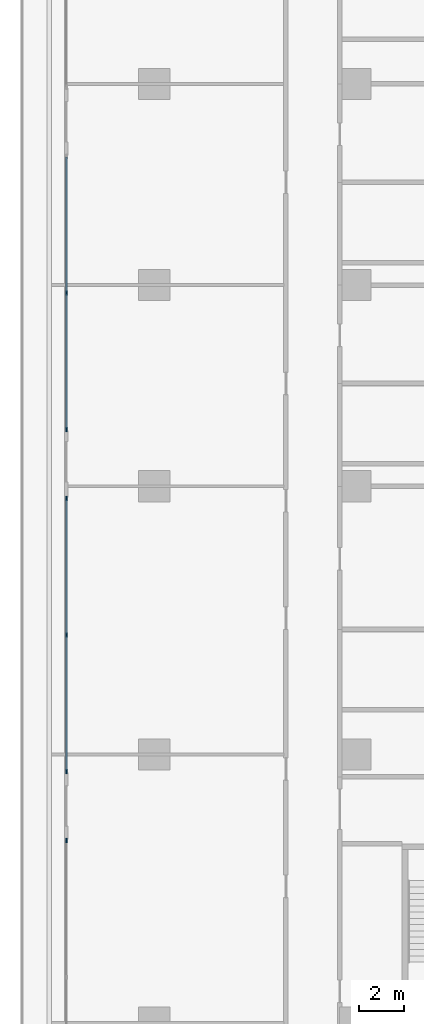
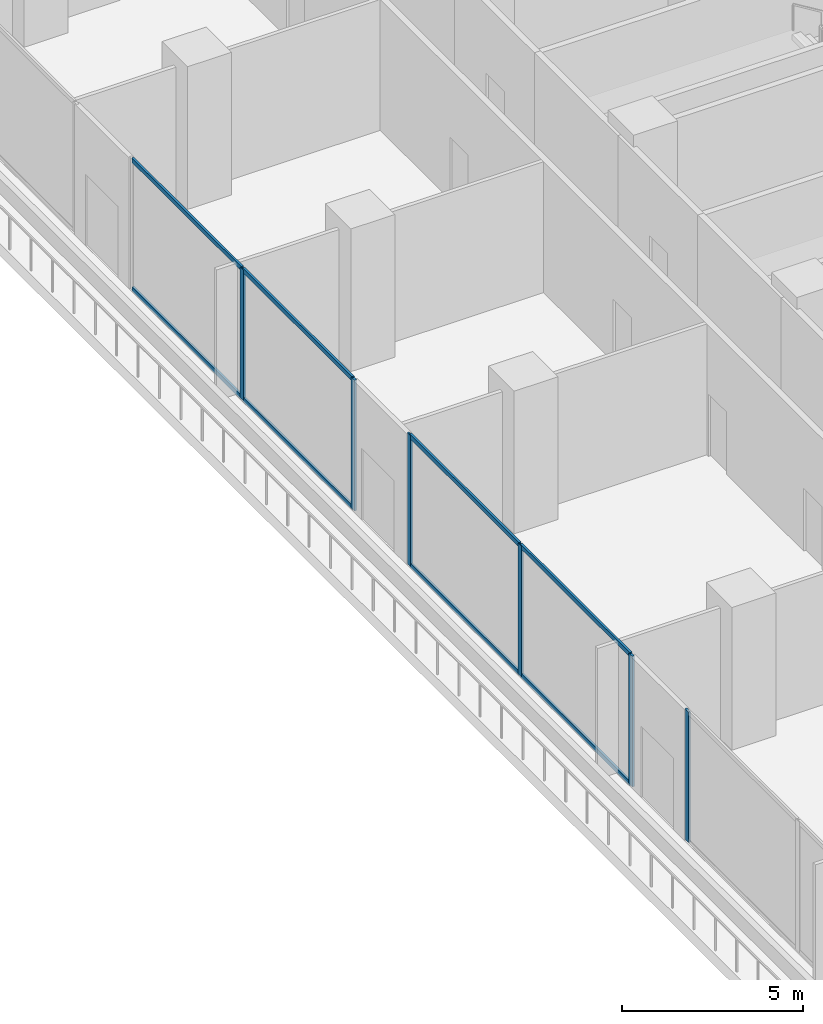
# One storey, part 5 of 31: 14 members, 3 elements without a shape of their own.
"""IFC4 building model written with IfcOpenShell, lengths in metres."""

import ifcopenshell
import ifcopenshell.guid

model = None  # the IFC model being written
_history = None  # IfcOwnerHistory: only IFC2X3 demands one
_inside = {}  # id of a spatial element -> (the spatial element, [elements in it])
_under = {}  # id of a project, library or spatial element -> (it, [spatial elements below it])
_declared = {}  # id of a project -> (the project, [libraries it declares])
_typed = {}  # id of a type object -> (the type object, [elements of that type])
_made_of = {}  # id of a material, layer set ... -> (it, [elements and type objects made of it])


def new_model(schema):
    """Start an empty IFC model of exactly this schema.

    Asked for "IFC4X3", IfcOpenShell would pick the latest addendum, in which some entities
    have other attributes; the version numbers below select the first issue.
    IFC2X3 requires an IfcOwnerHistory on every rooted entity: one is made here for all.
    """
    global model, _history
    if schema == "IFC4X3":
        model = ifcopenshell.file(schema_version=(4, 3, 0, 0))
    else:
        model = ifcopenshell.file(schema=schema)
    _inside.clear()
    _under.clear()
    _declared.clear()
    _typed.clear()
    _made_of.clear()
    _history = None
    if model.schema == "IFC2X3":
        org = make("IfcOrganization", Name="unknown")
        user = make(
            "IfcPersonAndOrganization",
            ThePerson=make("IfcPerson", FamilyName="unknown"),
            TheOrganization=org,
        )
        app = make(
            "IfcApplication",
            ApplicationDeveloper=org,
            Version="unknown",
            ApplicationFullName="unknown",
            ApplicationIdentifier="unknown",
        )
        _history = make(
            "IfcOwnerHistory",
            OwningUser=user,
            OwningApplication=app,
            ChangeAction="ADDED",
            CreationDate=0,
        )
    return model


def make(cls, **values):
    """One entity of the class cls with the attributes given. An attribute that is None is left unset."""
    return model.create_entity(
        cls, **{name: value for name, value in values.items() if value is not None}
    )


def rooted(cls, **values):
    """An entity with a GlobalId (a new one), such as an element, a storey or a relation."""
    return make(cls, GlobalId=ifcopenshell.guid.new(), OwnerHistory=_history, **values)


def si_unit(unit_type, name, prefix=None):
    """IfcSIUnit, for example si_unit("LENGTHUNIT", "METRE", prefix="MILLI")."""
    return make("IfcSIUnit", UnitType=unit_type, Prefix=prefix, Name=name)


def assignment(units):
    """IfcUnitAssignment: the units of a project."""
    return None if units is None else make("IfcUnitAssignment", Units=units)


def point(xyz):
    """IfcCartesianPoint."""
    return None if xyz is None else make("IfcCartesianPoint", Coordinates=xyz)


def direction(xyz):
    """IfcDirection."""
    return None if xyz is None else make("IfcDirection", DirectionRatios=xyz)


def frame(location, z_axis=None, x_axis=None):
    """IfcAxis2Placement3D, a coordinate frame: its origin and axes. An axis left out is left unset."""
    return make(
        "IfcAxis2Placement3D",
        Location=point(location),
        Axis=direction(z_axis),
        RefDirection=direction(x_axis),
    )


def frame_2d(location, x_axis=None):
    """IfcAxis2Placement2D, a coordinate frame in the plane: its origin and x axis."""
    return make(
        "IfcAxis2Placement2D", Location=point(location), RefDirection=direction(x_axis)
    )


def origin():
    """The frame at (0, 0, 0) with its axes left unset."""
    return frame((0.0, 0.0, 0.0))


def origin_2d():
    """The frame at (0, 0) in the plane with its x axis left unset."""
    return frame_2d((0.0, 0.0))


def place(relative_to, where):
    """IfcLocalPlacement: puts the frame where relative to a parent placement (None: the world)."""
    return make(
        "IfcLocalPlacement", PlacementRelTo=relative_to, RelativePlacement=where
    )


def context(
    kind, dimensions, precision=None, world=None, true_north=None, identifier=None
):
    """IfcGeometricRepresentationContext, for example the 3D "Model" context."""
    return make(
        "IfcGeometricRepresentationContext",
        ContextIdentifier=identifier,
        ContextType=kind,
        CoordinateSpaceDimension=dimensions,
        Precision=precision,
        WorldCoordinateSystem=world,
        TrueNorth=true_north,
    )


def subcontext(parent, identifier, kind, view, scale=None):
    """IfcGeometricRepresentationSubContext, for example "Body" below "Model"."""
    return make(
        "IfcGeometricRepresentationSubContext",
        ContextIdentifier=identifier,
        ContextType=kind,
        ParentContext=parent,
        TargetScale=scale,
        TargetView=view,
    )


def project(units=None, contexts=None):
    """IfcProject with its units and contexts."""
    return rooted(
        "IfcProject",
        Name="project",
        RepresentationContexts=contexts,
        UnitsInContext=assignment(units),
    )


def spatial(cls, under=None, at=None, **own):
    """A site, building, storey or space (cls), placed at a placement, below another one or the project."""
    s = rooted(cls, ObjectPlacement=at, **own)
    if under is not None:
        _under.setdefault(under.id(), (under, []))[1].append(s)
    return s


def profile(cls, at=None, kind="AREA", **sizes):
    """A parametric profile (cls). Its sizes go by their IFC names, for example OverallWidth=200.0."""
    return make(cls, ProfileType=kind, Position=at, **sizes)


def rectangle(**sizes):
    """IfcRectangleProfileDef."""
    return profile("IfcRectangleProfileDef", **sizes)


def extrude(swept, where, along, depth):
    """IfcExtrudedAreaSolid: the profile swept, set in the frame where, extruded along a direction by depth."""
    return make(
        "IfcExtrudedAreaSolid",
        SweptArea=swept,
        Position=where,
        ExtrudedDirection=direction(along),
        Depth=depth,
    )


def shape(context_of_items, identifier, shape_type, items):
    """IfcShapeRepresentation: the items that make up one representation, for example the "Body"."""
    return make(
        "IfcShapeRepresentation",
        ContextOfItems=context_of_items,
        RepresentationIdentifier=identifier,
        RepresentationType=shape_type,
        Items=items,
    )


def material(Name=None, Category=None):
    """IfcMaterial."""
    return make("IfcMaterial", Name=Name, Category=Category)


def layer(
    of_material, thickness, ventilated=None, Name=None, Category=None, Priority=None
):
    """IfcMaterialLayer: one layer of a wall or slab, of a material (None: an air gap)."""
    return make(
        "IfcMaterialLayer",
        Material=of_material,
        LayerThickness=thickness,
        IsVentilated=ventilated,
        Name=Name,
        Category=Category,
        Priority=Priority,
    )


def layer_set(layers, Name=None):
    """IfcMaterialLayerSet."""
    return make("IfcMaterialLayerSet", MaterialLayers=layers, LayerSetName=Name)


def material_profile(
    of_material, cross_section, Name=None, Category=None, Priority=None
):
    """IfcMaterialProfile: a cross section and its material."""
    return make(
        "IfcMaterialProfile",
        Name=Name,
        Material=of_material,
        Profile=cross_section,
        Priority=Priority,
        Category=Category,
    )


def profile_set(profiles, Name=None, composite=None):
    """IfcMaterialProfileSet."""
    return make(
        "IfcMaterialProfileSet",
        Name=Name,
        MaterialProfiles=profiles,
        CompositeProfile=composite,
    )


def made_of(thing, what):
    """Note that an element or type object is made of a material, layer set ...; save() writes the relation."""
    if what is not None:
        _made_of.setdefault(what.id(), (what, []))[1].append(thing)
    return thing


def type_object(cls, material=None, **own):
    """A type object (cls), such as IfcWallType, which elements share."""
    return made_of(rooted(cls, **own), material)


def element(
    cls,
    number,
    at=None,
    inside=None,
    cuts=None,
    type_object=None,
    material=None,
    context=None,
    identifier="Body",
    shape_type=None,
    held_by="IfcProductDefinitionShape",
    body=None,
    shapes=None,
    **own,
):
    """One element of the class cls, such as IfcWall. Its Tag is "e" and its number.

    at: its placement. inside: the storey or other place that contains it. cuts: it is an
    opening in that element (IfcRelVoidsElement). A single representation is given by context,
    identifier, shape_type and body (its items); several are given by shapes. held_by: the class
    of the entity that holds the representations. save() writes the other relations.
    """
    e = rooted(cls, Tag="e%d" % number, ObjectPlacement=at, **own)
    if body is not None:
        shapes = [shape(context, identifier, shape_type, body)]
    if shapes is not None:
        e.Representation = make(held_by, Representations=shapes)
    if inside is not None:
        _inside.setdefault(inside.id(), (inside, []))[1].append(e)
    if cuts is not None:
        rooted(
            "IfcRelVoidsElement", RelatingBuildingElement=cuts, RelatedOpeningElement=e
        )
    if type_object is not None:
        _typed.setdefault(type_object.id(), (type_object, []))[1].append(e)
    return made_of(e, material)


def aggregate(whole, parts):
    """IfcRelAggregates: a whole, such as a stair, and the parts it consists of."""
    return rooted("IfcRelAggregates", RelatingObject=whole, RelatedObjects=parts)


def save(model, path):
    """Write the relations noted so far, then the file.

    IfcRelAggregates (storeys below a building ...), IfcRelContainedInSpatialStructure (elements
    in a storey), IfcRelDefinesByType, IfcRelAssociatesMaterial and IfcRelDeclares: one each for
    every whole, place, type object, material and project.
    """
    for whole, parts in _under.values():
        aggregate(whole, parts)
    for where, things in _inside.values():
        rooted(
            "IfcRelContainedInSpatialStructure",
            RelatedElements=things,
            RelatingStructure=where,
        )
    for kind, things in _typed.values():
        rooted("IfcRelDefinesByType", RelatedObjects=things, RelatingType=kind)
    for what, things in _made_of.values():
        rooted("IfcRelAssociatesMaterial", RelatedObjects=things, RelatingMaterial=what)
    for by, libraries in _declared.values():
        rooted("IfcRelDeclares", RelatingContext=by, RelatedDefinitions=libraries)
    model.write(path)


model = new_model("IFC4")

# Units and contexts
model_context = context("Model", 3, precision=1e-05, world=origin(), true_north=direction((0.0, 1.0)))
body_context = subcontext(model_context, "Body", "Model", "MODEL_VIEW")
ifc_project = project(units=[si_unit("LENGTHUNIT", "METRE"), si_unit("AREAUNIT", "SQUARE_METRE"), si_unit("VOLUMEUNIT", "CUBIC_METRE"), si_unit("PLANEANGLEUNIT", "RADIAN"), si_unit("MASSUNIT", "GRAM", prefix="KILO")], contexts=[model_context])

# Site, building, storey
site_placement = place(None, origin())
site = spatial("IfcSite", under=ifc_project, at=site_placement, CompositionType="ELEMENT")
building_placement = place(site_placement, origin())
building = spatial("IfcBuilding", under=site, at=building_placement, Name="Chenar Terraces", CompositionType="ELEMENT")
storey_placement = place(building_placement, frame((0.0, 0.0, 7.199951171875)))
storey = spatial("IfcBuildingStorey", under=building, at=storey_placement, Name="L01", CompositionType="ELEMENT", Elevation=7.199951171875)

# Curtain wall, members
ifc_material_1 = material(Name="Aluminium framed glazing", Category="aluminium")
ifc_layer = layer(ifc_material_1, 0.14990234375)
ifc_layer_set = layer_set([ifc_layer], Name="Aluminium framed glazing")
curtain_wall_type = type_object("IfcCurtainWallType", Name="School curtain wall", PredefinedType="NOTDEFINED", material=ifc_layer_set)
placement = place(storey_placement, origin())
curtain_wall_1 = element("IfcCurtainWall", 1, at=placement, inside=storey, type_object=curtain_wall_type, Name="School curtain wall", PredefinedType="NOTDEFINED")
ifc_material_2 = material(Name="Aluminium", Category="aluminium")
ifc_material_profile_1 = material_profile(ifc_material_2, rectangle(XDim=0.070068359375, YDim=0.199951171875, at=origin_2d()), Name="School glazing mullion 70 x 200")
ifc_profile_set_1 = profile_set([ifc_material_profile_1], Name="Aluminium")
member_type_1 = type_object("IfcMemberType", Name="School glazing mullion 70 x 200", PredefinedType="MULLION", material=ifc_profile_set_1)
member_1_placement = place(storey_placement, frame((-12.925048828125, 44.6533203125, 0.0), z_axis=(0.0, 0.0, 1.0), x_axis=(1.0, 0.0, 0.0)))
member_1 = element("IfcMember", 2, at=member_1_placement, type_object=member_type_1, Name="CW2-04c1 mullion 2", PredefinedType="MULLION", context=body_context, shape_type="SweptSolid", body=[
    extrude(rectangle(XDim=0.070068359375, YDim=0.199951171875, at=origin_2d()), origin(), (0.0, 0.0, 1.0), 4.400146484375),
])
member_2_placement = place(storey_placement, frame((-12.925048828125, 38.547607421875, 0.0), z_axis=(0.0, 0.0, 1.0), x_axis=(1.0, 0.0, 0.0)))
member_2 = element("IfcMember", 3, at=member_2_placement, type_object=member_type_1, Name="CW2-04c1 mullion 3", PredefinedType="MULLION", context=body_context, shape_type="SweptSolid", body=[
    extrude(rectangle(XDim=0.070068359375, YDim=0.199951171875, at=origin_2d()), origin(), (0.0, 0.0, 1.0), 4.400146484375),
])

curtain_wall_2 = element("IfcCurtainWall", 4, at=placement, inside=storey, type_object=curtain_wall_type, Name="School curtain wall", PredefinedType="NOTDEFINED")
member_3_placement = place(storey_placement, frame((-12.925048828125, 35.452392578125, 0.0), z_axis=(0.0, 0.0, 1.0), x_axis=(1.0, 0.0, 0.0)))
member_3 = element("IfcMember", 5, at=member_3_placement, type_object=member_type_1, Name="CW2-04c2 mullion 1", PredefinedType="MULLION", context=body_context, shape_type="SweptSolid", body=[
    extrude(rectangle(XDim=0.070068359375, YDim=0.199951171875, at=origin_2d()), origin(), (0.0, 0.0, 1.0), 4.400146484375),
])
member_4_placement = place(storey_placement, frame((-12.925048828125, 29.3466796875, 0.0), z_axis=(0.0, 0.0, 1.0), x_axis=(1.0, 0.0, 0.0)))
member_4 = element("IfcMember", 6, at=member_4_placement, type_object=member_type_1, Name="CW2-04c2 mullion 2", PredefinedType="MULLION", context=body_context, shape_type="SweptSolid", body=[
    extrude(rectangle(XDim=0.070068359375, YDim=0.199951171875, at=origin_2d()), origin(), (0.0, 0.0, 1.0), 4.400146484375),
])
member_5_placement = place(storey_placement, frame((-12.925048828125, 23.24072265625, 0.0), z_axis=(0.0, 0.0, 1.0), x_axis=(1.0, 0.0, 0.0)))
member_5 = element("IfcMember", 7, at=member_5_placement, type_object=member_type_1, Name="CW2-04c2 mullion 3", PredefinedType="MULLION", context=body_context, shape_type="SweptSolid", body=[
    extrude(rectangle(XDim=0.070068359375, YDim=0.199951171875, at=origin_2d()), origin(), (0.0, 0.0, 1.0), 4.400146484375),
])

# Curtain wall, member
curtain_wall_3 = element("IfcCurtainWall", 8, at=placement, inside=storey, type_object=curtain_wall_type, Name="School curtain wall", PredefinedType="NOTDEFINED")
member_6_placement = place(storey_placement, frame((-12.925048828125, 20.145751953125, 0.0), z_axis=(0.0, 0.0, 1.0), x_axis=(1.0, 0.0, 0.0)))
member_6 = element("IfcMember", 9, at=member_6_placement, type_object=member_type_1, Name="CW2-04c3 mullion 1", PredefinedType="MULLION", context=body_context, shape_type="SweptSolid", body=[
    extrude(rectangle(XDim=0.070068359375, YDim=0.199951171875, at=origin_2d()), origin(), (0.0, 0.0, 1.0), 4.400146484375),
])
aggregate(curtain_wall_3, [member_6])

# Member
ifc_material_3 = material(Name="Aluminium", Category="aluminium")
ifc_material_profile_2 = material_profile(ifc_material_3, rectangle(XDim=0.070068359375, YDim=0.14990234375, at=origin_2d()), Name="School glazing transom 70 x 150")
ifc_profile_set_2 = profile_set([ifc_material_profile_2], Name="Aluminium")
member_type_2 = type_object("IfcMemberType", Name="School glazing transom 70 x 150", PredefinedType="USERDEFINED", material=ifc_profile_set_2)
member_7_placement = place(storey_placement, frame((-12.925048828125, 50.724365234375, 0.03515625), z_axis=(0.0, -1.0, 0.0), x_axis=(1.0, 0.0, 0.0)))
member_7 = element("IfcMember", 10, at=member_7_placement, type_object=member_type_2, Name="CW2-04c1 transom 1.1", ObjectType="TRANSOM", PredefinedType="USERDEFINED", context=body_context, shape_type="SweptSolid", body=[
    extrude(rectangle(XDim=0.070068359375, YDim=0.14990234375, at=origin_2d()), origin(), (0.0, 0.0, 1.0), 6.035888671875),
])

member_8_placement = place(storey_placement, frame((-12.925048828125, 50.724365234375, 4.364990234375), z_axis=(0.0, -1.0, 0.0), x_axis=(1.0, 0.0, 0.0)))
member_8 = element("IfcMember", 11, at=member_8_placement, type_object=member_type_2, Name="CW2-04c1 transom 1.2", ObjectType="TRANSOM", PredefinedType="USERDEFINED", context=body_context, shape_type="SweptSolid", body=[
    extrude(rectangle(XDim=0.070068359375, YDim=0.14990234375, at=origin_2d()), origin(), (0.0, 0.0, 1.0), 6.035888671875),
])

member_9_placement = place(storey_placement, frame((-12.925048828125, 44.618408203125, 0.03515625), z_axis=(0.0, -1.0, 0.0), x_axis=(1.0, 0.0, 0.0)))
member_9 = element("IfcMember", 12, at=member_9_placement, type_object=member_type_2, Name="CW2-04c1 transom 2.1", ObjectType="TRANSOM", PredefinedType="USERDEFINED", context=body_context, shape_type="SweptSolid", body=[
    extrude(rectangle(XDim=0.070068359375, YDim=0.14990234375, at=origin_2d()), origin(), (0.0, 0.0, 1.0), 6.035888671875),
])

member_10_placement = place(storey_placement, frame((-12.925048828125, 44.618408203125, 4.364990234375), z_axis=(0.0, -1.0, 0.0), x_axis=(1.0, 0.0, 0.0)))
member_10 = element("IfcMember", 13, at=member_10_placement, type_object=member_type_2, Name="CW2-04c1 transom 2.2", ObjectType="TRANSOM", PredefinedType="USERDEFINED", context=body_context, shape_type="SweptSolid", body=[
    extrude(rectangle(XDim=0.070068359375, YDim=0.14990234375, at=origin_2d()), origin(), (0.0, 0.0, 1.0), 6.035888671875),
])

aggregate(curtain_wall_1, [member_1, member_2, member_7, member_8, member_9, member_10])

member_11_placement = place(storey_placement, frame((-12.925048828125, 35.41748046875, 0.03515625), z_axis=(0.0, -1.0, 0.0), x_axis=(1.0, 0.0, 0.0)))
member_11 = element("IfcMember", 14, at=member_11_placement, type_object=member_type_2, Name="CW2-04c2 transom 1.1", ObjectType="TRANSOM", PredefinedType="USERDEFINED", context=body_context, shape_type="SweptSolid", body=[
    extrude(rectangle(XDim=0.070068359375, YDim=0.14990234375, at=origin_2d()), origin(), (0.0, 0.0, 1.0), 6.035888671875),
])

member_12_placement = place(storey_placement, frame((-12.925048828125, 35.41748046875, 4.364990234375), z_axis=(0.0, -1.0, 0.0), x_axis=(1.0, 0.0, 0.0)))
member_12 = element("IfcMember", 15, at=member_12_placement, type_object=member_type_2, Name="CW2-04c2 transom 1.2", ObjectType="TRANSOM", PredefinedType="USERDEFINED", context=body_context, shape_type="SweptSolid", body=[
    extrude(rectangle(XDim=0.070068359375, YDim=0.14990234375, at=origin_2d()), origin(), (0.0, 0.0, 1.0), 6.035888671875),
])

member_13_placement = place(storey_placement, frame((-12.925048828125, 29.3115234375, 0.03515625), z_axis=(0.0, -1.0, 0.0), x_axis=(1.0, 0.0, 0.0)))
member_13 = element("IfcMember", 16, at=member_13_placement, type_object=member_type_2, Name="CW2-04c2 transom 2.1", ObjectType="TRANSOM", PredefinedType="USERDEFINED", context=body_context, shape_type="SweptSolid", body=[
    extrude(rectangle(XDim=0.070068359375, YDim=0.14990234375, at=origin_2d()), origin(), (0.0, 0.0, 1.0), 6.035888671875),
])

member_14_placement = place(storey_placement, frame((-12.925048828125, 29.3115234375, 4.364990234375), z_axis=(0.0, -1.0, 0.0), x_axis=(1.0, 0.0, 0.0)))
member_14 = element("IfcMember", 17, at=member_14_placement, type_object=member_type_2, Name="CW2-04c2 transom 2.2", ObjectType="TRANSOM", PredefinedType="USERDEFINED", context=body_context, shape_type="SweptSolid", body=[
    extrude(rectangle(XDim=0.070068359375, YDim=0.14990234375, at=origin_2d()), origin(), (0.0, 0.0, 1.0), 6.035888671875),
])

aggregate(curtain_wall_2, [member_3, member_4, member_5, member_11, member_12, member_13, member_14])

save(model, "model.ifc")
